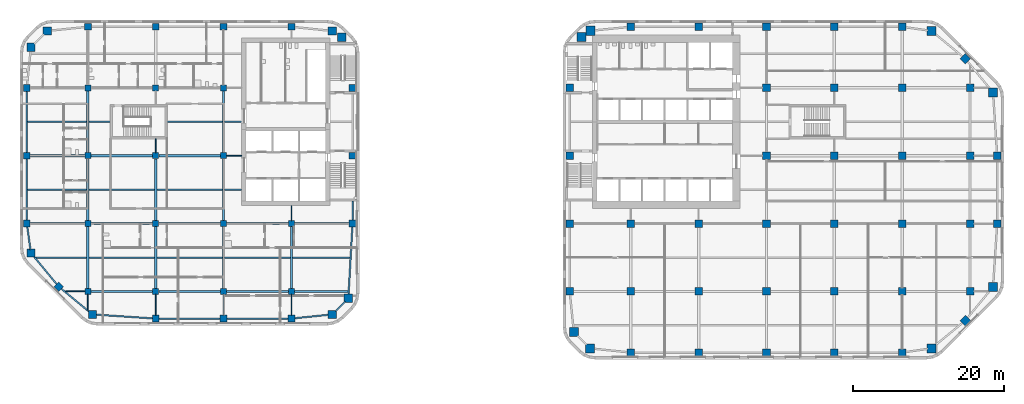
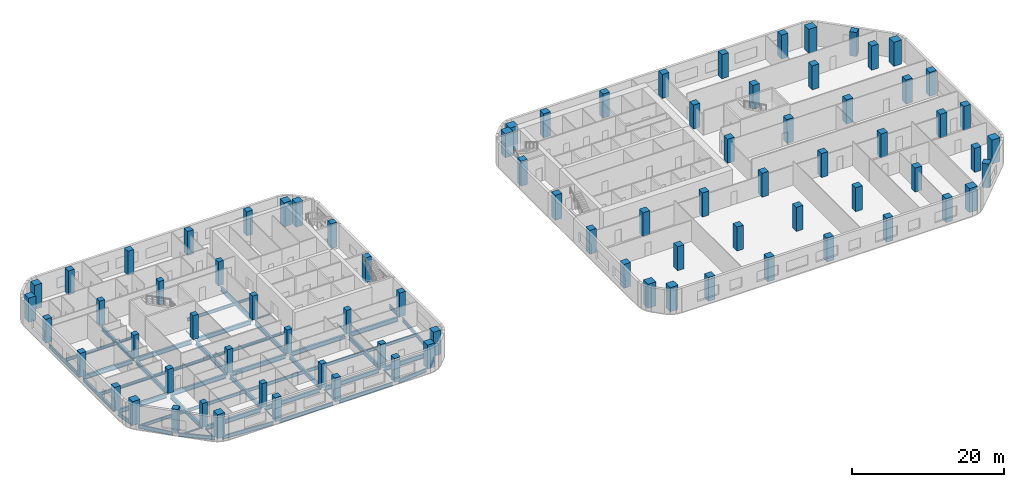
# One storey, part 1 of 16: 82 columns, 54 beams.
"""IFC4 building model written with IfcOpenShell, lengths in metres."""

from ifc_helpers import new_model, si_unit, direction, frame, origin, origin_2d, place, context, subcontext, project, spatial, rectangle, i_section, extrude, material, material_profile, profile_set, type_object, element, save


model = new_model("IFC4")

# Units and contexts
model_context = context("Model", 3, precision=1e-05, world=origin(), true_north=direction((0.0, 1.0)))
body_context = subcontext(model_context, "Body", "Model", "MODEL_VIEW")
ifc_project = project(units=[si_unit("LENGTHUNIT", "METRE"), si_unit("AREAUNIT", "SQUARE_METRE"), si_unit("VOLUMEUNIT", "CUBIC_METRE"), si_unit("PLANEANGLEUNIT", "RADIAN"), si_unit("MASSUNIT", "GRAM", prefix="KILO")], contexts=[model_context])

# Site, building, storey
site_placement = place(None, origin())
site = spatial("IfcSite", under=ifc_project, at=site_placement, CompositionType="ELEMENT")
building_placement = place(site_placement, origin())
building = spatial("IfcBuilding", under=site, at=building_placement, Name="Cinnabar Reach Civic Tower", CompositionType="ELEMENT")
storey_placement = place(building_placement, frame((0.0, 0.0, 34.0)))
storey = spatial("IfcBuildingStorey", under=building, at=storey_placement, Name="L07", CompositionType="ELEMENT", Elevation=34.0)

# Columns
ifc_material_1 = material(Name="Concrete C70", Category="concrete")
ifc_material_profile_1 = material_profile(ifc_material_1, rectangle(XDim=1.0, YDim=1.0, at=origin_2d()), Name="RC1000")
ifc_profile_set_1 = profile_set([ifc_material_profile_1], Name="Concrete C70")
column_type_1 = type_object("IfcColumnType", Name="RC1000 column R 240", PredefinedType="COLUMN", material=ifc_profile_set_1)
for number, where, z_axis, x_axis, name in (
    (1, (9.0, 0.9, 0.0), (0.0, 0.0, 1.0), (1.0, 0.0, 0.0), "Column T1-Z1-F0-1"),
    (2, (18.0, 0.9, 0.0), (0.0, 0.0, 1.0), (1.0, 0.0, 0.0), "Column T1-Z1-F0-2"),
    (3, (27.0, 0.9, 0.0), (0.0, 0.0, 1.0), (1.0, 0.0, 0.0), "Column T1-Z1-F0-3"),
    (4, (36.0, 0.9, 0.0), (0.0, 0.0, 1.0), (1.0, 0.0, 0.0), "Column T1-Z1-F0-4"),
    (5, (45.0, 0.9, 0.0), (0.0, 0.0, 1.0), (1.0, 0.0, 0.0), "Column T1-Z1-F0-5"),
    (6, (53.3636, 5.1364, 0.0), (0.0, 0.0, 1.0), (0.707106781187, 0.707106781187, 0.0), "Column T1-Z1-F1-M"),
    (7, (57.6, 18.0, 0.0), (0.0, 0.0, 1.0), (1.0, 0.0, 0.0), "Column T1-Z1-F2-2"),
    (8, (57.6, 27.0, 0.0), (0.0, 0.0, 1.0), (1.0, 0.0, 0.0), "Column T1-Z1-F2-3"),
    (9, (53.3636, 39.8636, 0.0), (0.0, 0.0, 1.0), (0.707106781187, 0.707106781187, 0.0), "Column T1-Z1-F3-M"),
    (10, (9.0, 44.1, 0.0), (0.0, 0.0, 1.0), (1.0, 0.0, 0.0), "Column T1-Z1-F4-1"),
    (11, (18.0, 44.1, 0.0), (0.0, 0.0, 1.0), (1.0, 0.0, 0.0), "Column T1-Z1-F4-2"),
    (12, (27.0, 44.1, 0.0), (0.0, 0.0, 1.0), (1.0, 0.0, 0.0), "Column T1-Z1-F4-3"),
    (13, (36.0, 44.1, 0.0), (0.0, 0.0, 1.0), (1.0, 0.0, 0.0), "Column T1-Z1-F4-4"),
    (14, (45.0, 44.1, 0.0), (0.0, 0.0, 1.0), (1.0, 0.0, 0.0), "Column T1-Z1-F4-5"),
    (15, (0.9, 9.0, 0.0), (0.0, 0.0, 1.0), (1.0, 0.0, 0.0), "Column T1-Z1-F6-1"),
    (16, (0.9, 18.0, 0.0), (0.0, 0.0, 1.0), (1.0, 0.0, 0.0), "Column T1-Z1-F6-2"),
):
    element("IfcColumn", number, at=place(storey_placement, frame(where, z_axis=z_axis, x_axis=x_axis)), inside=storey, type_object=column_type_1, Name=name, PredefinedType="COLUMN", context=body_context, shape_type="SweptSolid", body=[
        extrude(rectangle(XDim=1.0, YDim=1.0, at=origin_2d()), origin(), (0.0, 0.0, 1.0), 3.85),
    ])
for number, where, z_axis, x_axis, name in (
    (17, (0.9, 27.0, 0.0), (0.0, 0.0, 1.0), (1.0, 0.0, 0.0), "Column T1-Z1-F6-3"),
    (18, (0.9, 36.0, 0.0), (0.0, 0.0, 1.0), (1.0, 0.0, 0.0), "Column T1-Z1-F6-4"),
):
    element("IfcColumn", number, at=place(storey_placement, frame(where, z_axis=z_axis, x_axis=x_axis)), inside=storey, type_object=column_type_1, Name=name, PredefinedType="COLUMN", context=body_context, shape_type="SweptSolid", body=[
        extrude(rectangle(XDim=1.0, YDim=1.0, at=origin_2d()), origin(), (0.0, 0.0, 1.0), 4.0),
    ])
for number, where, z_axis, x_axis, name in (
    (19, (9.0, 9.0, 0.0), (0.0, 0.0, 1.0), (1.0, 0.0, 0.0), "Column T1-Z1-I9_9"),
    (20, (9.0, 18.0, 0.0), (0.0, 0.0, 1.0), (1.0, 0.0, 0.0), "Column T1-Z1-I9_18"),
    (21, (18.0, 9.0, 0.0), (0.0, 0.0, 1.0), (1.0, 0.0, 0.0), "Column T1-Z1-I18_9"),
    (22, (18.0, 18.0, 0.0), (0.0, 0.0, 1.0), (1.0, 0.0, 0.0), "Column T1-Z1-I18_18"),
    (23, (27.0, 9.0, 0.0), (0.0, 0.0, 1.0), (1.0, 0.0, 0.0), "Column T1-Z1-I27_9"),
    (24, (27.0, 18.0, 0.0), (0.0, 0.0, 1.0), (1.0, 0.0, 0.0), "Column T1-Z1-I27_18"),
    (25, (27.0, 27.0, 0.0), (0.0, 0.0, 1.0), (1.0, 0.0, 0.0), "Column T1-Z1-I27_27"),
    (26, (27.0, 36.0, 0.0), (0.0, 0.0, 1.0), (1.0, 0.0, 0.0), "Column T1-Z1-I27_36"),
    (27, (36.0, 9.0, 0.0), (0.0, 0.0, 1.0), (1.0, 0.0, 0.0), "Column T1-Z1-I36_9"),
    (28, (36.0, 18.0, 0.0), (0.0, 0.0, 1.0), (1.0, 0.0, 0.0), "Column T1-Z1-I36_18"),
    (29, (36.0, 27.0, 0.0), (0.0, 0.0, 1.0), (1.0, 0.0, 0.0), "Column T1-Z1-I36_27"),
    (30, (36.0, 36.0, 0.0), (0.0, 0.0, 1.0), (1.0, 0.0, 0.0), "Column T1-Z1-I36_36"),
    (31, (45.0, 9.0, 0.0), (0.0, 0.0, 1.0), (1.0, 0.0, 0.0), "Column T1-Z1-I45_9"),
    (32, (45.0, 18.0, 0.0), (0.0, 0.0, 1.0), (1.0, 0.0, 0.0), "Column T1-Z1-I45_18"),
    (33, (45.0, 27.0, 0.0), (0.0, 0.0, 1.0), (1.0, 0.0, 0.0), "Column T1-Z1-I45_27"),
    (34, (45.0, 36.0, 0.0), (0.0, 0.0, 1.0), (1.0, 0.0, 0.0), "Column T1-Z1-I45_36"),
    (35, (54.0, 9.0, 0.0), (0.0, 0.0, 1.0), (1.0, 0.0, 0.0), "Column T1-Z1-I54_9"),
    (36, (54.0, 18.0, 0.0), (0.0, 0.0, 1.0), (1.0, 0.0, 0.0), "Column T1-Z1-I54_18"),
    (37, (54.0, 27.0, 0.0), (0.0, 0.0, 1.0), (1.0, 0.0, 0.0), "Column T1-Z1-I54_27"),
    (38, (54.0, 36.0, 0.0), (0.0, 0.0, 1.0), (1.0, 0.0, 0.0), "Column T1-Z1-I54_36"),
):
    element("IfcColumn", number, at=place(storey_placement, frame(where, z_axis=z_axis, x_axis=x_axis)), inside=storey, type_object=column_type_1, Name=name, PredefinedType="COLUMN", context=body_context, shape_type="SweptSolid", body=[
        extrude(rectangle(XDim=1.0, YDim=1.0, at=origin_2d()), origin(), (0.0, 0.0, 1.0), 3.85),
    ])
ifc_material_2 = material(Name="Concrete C80", Category="concrete")
ifc_material_profile_2 = material_profile(ifc_material_2, rectangle(XDim=1.1, YDim=1.1, at=origin_2d()), Name="RC1100")
ifc_profile_set_2 = profile_set([ifc_material_profile_2], Name="Concrete C80")
column_type_2 = type_object("IfcColumnType", Name="RC1100 column R 180", PredefinedType="COLUMN", material=ifc_profile_set_2)
for number, where, z_axis, x_axis, name in (
    (39, (-62.3981, 5.9531, 0.0), (0.0, 0.0, 1.0), (1.0, 0.0, 0.0), "Column T2-Z1-CC0"),
    (40, (-30.6019, 5.9531, 0.0), (0.0, 0.0, 1.0), (1.0, 0.0, 0.0), "Column T2-Z1-CC1"),
    (41, (-28.4531, 8.1019, 0.0), (0.0, 0.0, 1.0), (1.0, 0.0, 0.0), "Column T2-Z1-CC2"),
    (42, (-29.3131, 42.7, 0.0), (0.0, 0.0, 1.0), (1.0, 0.0, 0.0), "Column T2-Z1-CC3"),
    (43, (-30.6019, 43.5469, 0.0), (0.0, 0.0, 1.0), (1.0, 0.0, 0.0), "Column T2-Z1-CC4"),
    (44, (-68.3981, 43.5469, 0.0), (0.0, 0.0, 1.0), (1.0, 0.0, 0.0), "Column T2-Z1-CC5"),
    (45, (-70.5469, 41.3981, 0.0), (0.0, 0.0, 1.0), (1.0, 0.0, 0.0), "Column T2-Z1-CC6"),
    (46, (-70.5469, 14.1019, 0.0), (0.0, 0.0, 1.0), (1.0, 0.0, 0.0), "Column T2-Z1-CC7"),
):
    element("IfcColumn", number, at=place(storey_placement, frame(where, z_axis=z_axis, x_axis=x_axis)), inside=storey, type_object=column_type_2, Name=name, PredefinedType="COLUMN", context=body_context, shape_type="SweptSolid", body=[
        extrude(rectangle(XDim=1.1, YDim=1.1, at=origin_2d()), origin(), (0.0, 0.0, 1.0), 3.85),
    ])
ifc_material_profile_3 = material_profile(ifc_material_2, rectangle(XDim=1.2, YDim=1.2, at=origin_2d()), Name="RC1200")
ifc_profile_set_3 = profile_set([ifc_material_profile_3], Name="Concrete C80")
column_type_3 = type_object("IfcColumnType", Name="RC1200 column R 240", PredefinedType="COLUMN", material=ifc_profile_set_3)
for number, where, z_axis, x_axis, name in (
    (47, (3.6019, 1.4531, 0.0), (0.0, 0.0, 1.0), (1.0, 0.0, 0.0), "Column T1-Z1-CC0"),
    (48, (48.8981, 1.4531, 0.0), (0.0, 0.0, 1.0), (1.0, 0.0, 0.0), "Column T1-Z1-CC1"),
    (49, (57.0469, 9.6019, 0.0), (0.0, 0.0, 1.0), (1.0, 0.0, 0.0), "Column T1-Z1-CC2"),
    (50, (57.0469, 35.3981, 0.0), (0.0, 0.0, 1.0), (1.0, 0.0, 0.0), "Column T1-Z1-CC3"),
    (51, (48.8981, 43.5469, 0.0), (0.0, 0.0, 1.0), (1.0, 0.0, 0.0), "Column T1-Z1-CC4"),
    (52, (3.6666, 43.5737, 0.0), (0.0, 0.0, 1.0), (1.0, 0.0, 0.0), "Column T1-Z1-CC5"),
    (53, (2.4631, 42.75, 0.0), (0.0, 0.0, 1.0), (1.0, 0.0, 0.0), "Column T1-Z1-CC6"),
    (54, (1.4531, 3.6019, 0.0), (0.0, 0.0, 1.0), (1.0, 0.0, 0.0), "Column T1-Z1-CC7"),
):
    element("IfcColumn", number, at=place(storey_placement, frame(where, z_axis=z_axis, x_axis=x_axis)), inside=storey, type_object=column_type_3, Name=name, PredefinedType="COLUMN", context=body_context, shape_type="SweptSolid", body=[
        extrude(rectangle(XDim=1.2, YDim=1.2, at=origin_2d()), origin(), (0.0, 0.0, 1.0), 3.85),
    ])
ifc_material_3 = material(Name="Concrete C60", Category="concrete")
ifc_material_profile_4 = material_profile(ifc_material_3, rectangle(XDim=0.8, YDim=0.8, at=origin_2d()), Name="RC800")
ifc_profile_set_4 = profile_set([ifc_material_profile_4], Name="Concrete C60")
column_type_4 = type_object("IfcColumnType", Name="RC800 column R 180", PredefinedType="COLUMN", material=ifc_profile_set_4)
for number, where, z_axis, x_axis, name in (
    (55, (-63.0, 9.0, 0.0), (0.0, 0.0, 1.0), (1.0, 0.0, 0.0), "Column T2-Z1-I-63_9"),
    (56, (-63.0, 18.0, 0.0), (0.0, 0.0, 1.0), (1.0, 0.0, 0.0), "Column T2-Z1-I-63_18"),
    (57, (-63.0, 27.0, 0.0), (0.0, 0.0, 1.0), (1.0, 0.0, 0.0), "Column T2-Z1-I-63_27"),
    (58, (-63.0, 36.0, 0.0), (0.0, 0.0, 1.0), (1.0, 0.0, 0.0), "Column T2-Z1-I-63_36"),
    (59, (-54.0, 9.0, 0.0), (0.0, 0.0, 1.0), (1.0, 0.0, 0.0), "Column T2-Z1-I-54_9"),
    (60, (-54.0, 18.0, 0.0), (0.0, 0.0, 1.0), (1.0, 0.0, 0.0), "Column T2-Z1-I-54_18"),
    (61, (-54.0, 27.0, 0.0), (0.0, 0.0, 1.0), (1.0, 0.0, 0.0), "Column T2-Z1-I-54_27"),
    (62, (-54.0, 36.0, 0.0), (0.0, 0.0, 1.0), (1.0, 0.0, 0.0), "Column T2-Z1-I-54_36"),
    (63, (-45.0, 9.0, 0.0), (0.0, 0.0, 1.0), (1.0, 0.0, 0.0), "Column T2-Z1-I-45_9"),
    (64, (-45.0, 18.0, 0.0), (0.0, 0.0, 1.0), (1.0, 0.0, 0.0), "Column T2-Z1-I-45_18"),
    (65, (-45.0, 27.0, 0.0), (0.0, 0.0, 1.0), (1.0, 0.0, 0.0), "Column T2-Z1-I-45_27"),
    (66, (-45.0, 36.0, 0.0), (0.0, 0.0, 1.0), (1.0, 0.0, 0.0), "Column T2-Z1-I-45_36"),
    (67, (-36.0, 9.0, 0.0), (0.0, 0.0, 1.0), (1.0, 0.0, 0.0), "Column T2-Z1-I-36_9"),
    (68, (-36.0, 18.0, 0.0), (0.0, 0.0, 1.0), (1.0, 0.0, 0.0), "Column T2-Z1-I-36_18"),
):
    element("IfcColumn", number, at=place(storey_placement, frame(where, z_axis=z_axis, x_axis=x_axis)), inside=storey, type_object=column_type_4, Name=name, PredefinedType="COLUMN", context=body_context, shape_type="SweptSolid", body=[
        extrude(rectangle(XDim=0.8, YDim=0.8, at=origin_2d()), origin(), (0.0, 0.0, 1.0), 3.85),
    ])
ifc_material_profile_5 = material_profile(ifc_material_1, rectangle(XDim=0.9, YDim=0.9, at=origin_2d()), Name="RC900")
ifc_profile_set_5 = profile_set([ifc_material_profile_5], Name="Concrete C70")
column_type_5 = type_object("IfcColumnType", Name="RC900 column R 180", PredefinedType="COLUMN", material=ifc_profile_set_5)
for number, where, z_axis, x_axis, name in (
    (69, (-54.0, 5.4, 0.0), (0.0, 0.0, 1.0), (1.0, 0.0, 0.0), "Column T2-Z1-F0--6"),
    (70, (-45.0, 5.4, 0.0), (0.0, 0.0, 1.0), (1.0, 0.0, 0.0), "Column T2-Z1-F0--5"),
    (71, (-36.0, 5.4, 0.0), (0.0, 0.0, 1.0), (1.0, 0.0, 0.0), "Column T2-Z1-F0--4"),
    (72, (-27.9, 18.0, 0.0), (0.0, 0.0, 1.0), (1.0, 0.0, 0.0), "Column T2-Z1-F2-2"),
):
    element("IfcColumn", number, at=place(storey_placement, frame(where, z_axis=z_axis, x_axis=x_axis)), inside=storey, type_object=column_type_5, Name=name, PredefinedType="COLUMN", context=body_context, shape_type="SweptSolid", body=[
        extrude(rectangle(XDim=0.9, YDim=0.9, at=origin_2d()), origin(), (0.0, 0.0, 1.0), 3.85),
    ])
for number, where, z_axis, x_axis, name in (
    (73, (-27.9, 27.0, 0.0), (0.0, 0.0, 1.0), (1.0, 0.0, 0.0), "Column T2-Z1-F2-3"),
    (74, (-27.9, 36.0, 0.0), (0.0, 0.0, 1.0), (1.0, 0.0, 0.0), "Column T2-Z1-F2-4"),
):
    element("IfcColumn", number, at=place(storey_placement, frame(where, z_axis=z_axis, x_axis=x_axis)), inside=storey, type_object=column_type_5, Name=name, PredefinedType="COLUMN", context=body_context, shape_type="SweptSolid", body=[
        extrude(rectangle(XDim=0.9, YDim=0.9, at=origin_2d()), origin(), (0.0, 0.0, 1.0), 4.0),
    ])
for number, where, z_axis, x_axis, name in (
    (75, (-63.0, 44.1, 0.0), (0.0, 0.0, 1.0), (1.0, 0.0, 0.0), "Column T2-Z1-F4--7"),
    (76, (-54.0, 44.1, 0.0), (0.0, 0.0, 1.0), (1.0, 0.0, 0.0), "Column T2-Z1-F4--6"),
    (77, (-45.0, 44.1, 0.0), (0.0, 0.0, 1.0), (1.0, 0.0, 0.0), "Column T2-Z1-F4--5"),
    (78, (-36.0, 44.1, 0.0), (0.0, 0.0, 1.0), (1.0, 0.0, 0.0), "Column T2-Z1-F4--4"),
    (79, (-71.1, 18.0, 0.0), (0.0, 0.0, 1.0), (1.0, 0.0, 0.0), "Column T2-Z1-F6-2"),
    (80, (-71.1, 27.0, 0.0), (0.0, 0.0, 1.0), (1.0, 0.0, 0.0), "Column T2-Z1-F6-3"),
    (81, (-71.1, 36.0, 0.0), (0.0, 0.0, 1.0), (1.0, 0.0, 0.0), "Column T2-Z1-F6-4"),
    (82, (-66.8636, 9.6364, 0.0), (0.0, 0.0, 1.0), (0.707106781187, 0.707106781187, 0.0), "Column T2-Z1-F7-M"),
):
    element("IfcColumn", number, at=place(storey_placement, frame(where, z_axis=z_axis, x_axis=x_axis)), inside=storey, type_object=column_type_5, Name=name, PredefinedType="COLUMN", context=body_context, shape_type="SweptSolid", body=[
        extrude(rectangle(XDim=0.9, YDim=0.9, at=origin_2d()), origin(), (0.0, 0.0, 1.0), 3.85),
    ])

# Beams
ifc_material_4 = material(Name="Steel Q355B", Category="steel")
ifc_material_profile_6 = material_profile(ifc_material_4, i_section(OverallWidth=0.099, OverallDepth=0.198, WebThickness=0.0045, FlangeThickness=0.007, FilletRadius=0.013, at=origin_2d()), Name="HN200x100x5.5x8")
ifc_profile_set_6 = profile_set([ifc_material_profile_6], Name="Steel Q355B")
beam_type_1 = type_object("IfcBeamType", Name="HN200x100x5.5x8 beam R 120", PredefinedType="BEAM", material=ifc_profile_set_6)
beam_1_placement = place(storey_placement, frame((-63.0, 6.5818, -0.249), z_axis=(0.0, 1.0, 0.0), x_axis=(-1.0, 0.0, 0.0)))
element("IfcBeam", 83, at=beam_1_placement, inside=storey, type_object=beam_type_1, Name="Girder T2 L07 1", PredefinedType="BEAM", context=body_context, shape_type="SweptSolid", body=[
    extrude(i_section(OverallWidth=0.099, OverallDepth=0.198, WebThickness=0.0045, FlangeThickness=0.007, FilletRadius=0.013, at=origin_2d()), origin(), (0.0, 0.0, 1.0), 2.0162),
])
beam_2_placement = place(storey_placement, frame((-54.0, 5.852, -0.249), z_axis=(0.0, 1.0, 0.0), x_axis=(-1.0, 0.0, 0.0)))
element("IfcBeam", 84, at=beam_2_placement, inside=storey, type_object=beam_type_1, Name="Girder T2 L07 6", PredefinedType="BEAM", context=body_context, shape_type="SweptSolid", body=[
    extrude(i_section(OverallWidth=0.099, OverallDepth=0.198, WebThickness=0.0045, FlangeThickness=0.007, FilletRadius=0.013, at=origin_2d()), origin(), (0.0, 0.0, 1.0), 2.746),
])
beam_3_placement = place(storey_placement, frame((-54.0, 27.402, -0.249), z_axis=(0.0, 1.0, 0.0), x_axis=(-1.0, 0.0, 0.0)))
element("IfcBeam", 85, at=beam_3_placement, inside=storey, type_object=beam_type_1, Name="Girder T2 L07 9", PredefinedType="BEAM", context=body_context, shape_type="SweptSolid", body=[
    extrude(i_section(OverallWidth=0.099, OverallDepth=0.198, WebThickness=0.0045, FlangeThickness=0.007, FilletRadius=0.013, at=origin_2d()), origin(), (0.0, 0.0, 1.0), 1.846),
])
for number, where, z_axis, x_axis, name in (
    (86, (-45.0, 5.852, -0.249), (0.0, 1.0, 0.0), (-1.0, 0.0, 0.0), "Girder T2 L07 12"),
    (87, (-36.0, 5.852, -0.249), (0.0, 1.0, 0.0), (-1.0, 0.0, 0.0), "Girder T2 L07 17"),
):
    element("IfcBeam", number, at=place(storey_placement, frame(where, z_axis=z_axis, x_axis=x_axis)), inside=storey, type_object=beam_type_1, Name=name, PredefinedType="BEAM", context=body_context, shape_type="SweptSolid", body=[
        extrude(i_section(OverallWidth=0.099, OverallDepth=0.198, WebThickness=0.0045, FlangeThickness=0.007, FilletRadius=0.013, at=origin_2d()), origin(), (0.0, 0.0, 1.0), 2.746),
    ])
beam_4_placement = place(storey_placement, frame((-36.0, 18.402, -0.249), z_axis=(0.0, 1.0, 0.0), x_axis=(-1.0, 0.0, 0.0)))
element("IfcBeam", 88, at=beam_4_placement, inside=storey, type_object=beam_type_1, Name="Girder T2 L07 19", PredefinedType="BEAM", context=body_context, shape_type="SweptSolid", body=[
    extrude(i_section(OverallWidth=0.099, OverallDepth=0.198, WebThickness=0.0045, FlangeThickness=0.007, FilletRadius=0.013, at=origin_2d()), origin(), (0.0, 0.0, 1.0), 1.996),
])
ifc_material_profile_7 = material_profile(ifc_material_4, i_section(OverallWidth=0.124, OverallDepth=0.248, WebThickness=0.005, FlangeThickness=0.008, FilletRadius=0.013, at=origin_2d()), Name="HN250x125x6x9")
ifc_profile_set_7 = profile_set([ifc_material_profile_7], Name="Steel Q355B")
beam_type_2 = type_object("IfcBeamType", Name="HN250x125x6x9 beam R 120", PredefinedType="BEAM", material=ifc_profile_set_7)
beam_5_placement = place(storey_placement, frame((-65.9318, 9.0, -0.274), z_axis=(1.0, 0.0, 0.0), x_axis=(0.0, 1.0, 0.0)))
element("IfcBeam", 89, at=beam_5_placement, inside=storey, type_object=beam_type_2, Name="Girder T2 L07 1", PredefinedType="BEAM", context=body_context, shape_type="SweptSolid", body=[
    extrude(i_section(OverallWidth=0.124, OverallDepth=0.248, WebThickness=0.005, FlangeThickness=0.008, FilletRadius=0.013, at=origin_2d()), origin(), (0.0, 0.0, 1.0), 2.5298),
])
beam_6_placement = place(storey_placement, frame((-44.598, 27.0, -0.274), z_axis=(1.0, 0.0, 0.0), x_axis=(0.0, 1.0, 0.0)))
element("IfcBeam", 90, at=beam_6_placement, inside=storey, type_object=beam_type_2, Name="Girder T2 L07 14", PredefinedType="BEAM", context=body_context, shape_type="SweptSolid", body=[
    extrude(i_section(OverallWidth=0.124, OverallDepth=0.248, WebThickness=0.005, FlangeThickness=0.008, FilletRadius=0.013, at=origin_2d()), origin(), (0.0, 0.0, 1.0), 1.996),
])
ifc_material_profile_8 = material_profile(ifc_material_4, i_section(OverallWidth=0.2, OverallDepth=0.4, WebThickness=0.008, FlangeThickness=0.013, FilletRadius=0.016, at=origin_2d()), Name="HN400x200x8x13")
ifc_profile_set_8 = profile_set([ifc_material_profile_8], Name="Steel Q355B")
beam_type_3 = type_object("IfcBeamType", Name="HN400x200x8x13 beam R 120", PredefinedType="BEAM", material=ifc_profile_set_8)
beam_7_placement = place(storey_placement, frame((-44.848, 22.5, -0.35), z_axis=(1.0, 0.0, 0.0), x_axis=(0.0, 1.0, 0.0)))
element("IfcBeam", 91, at=beam_7_placement, inside=storey, type_object=beam_type_3, Name="Secondary beam T2 L07 9", PredefinedType="BEAM", context=body_context, shape_type="SweptSolid", body=[
    extrude(i_section(OverallWidth=0.2, OverallDepth=0.4, WebThickness=0.008, FlangeThickness=0.013, FilletRadius=0.016, at=origin_2d()), origin(), (0.0, 0.0, 1.0), 2.246),
])
beam_8_placement = place(storey_placement, frame((-62.848, 31.5, -0.35), z_axis=(1.0, 0.0, 0.0), x_axis=(0.0, 1.0, 0.0)))
element("IfcBeam", 92, at=beam_8_placement, inside=storey, type_object=beam_type_3, Name="Secondary beam T2 L07 11", PredefinedType="BEAM", context=body_context, shape_type="SweptSolid", body=[
    extrude(i_section(OverallWidth=0.2, OverallDepth=0.4, WebThickness=0.008, FlangeThickness=0.013, FilletRadius=0.016, at=origin_2d()), origin(), (0.0, 0.0, 1.0), 2.846),
])
beam_9_placement = place(storey_placement, frame((-44.848, 31.5, -0.35), z_axis=(1.0, 0.0, 0.0), x_axis=(0.0, 1.0, 0.0)))
element("IfcBeam", 93, at=beam_9_placement, inside=storey, type_object=beam_type_3, Name="Secondary beam T2 L07 13", PredefinedType="BEAM", context=body_context, shape_type="SweptSolid", body=[
    extrude(i_section(OverallWidth=0.2, OverallDepth=0.4, WebThickness=0.008, FlangeThickness=0.013, FilletRadius=0.016, at=origin_2d()), origin(), (0.0, 0.0, 1.0), 2.246),
])
ifc_material_profile_9 = material_profile(ifc_material_4, i_section(OverallWidth=0.2, OverallDepth=0.5, WebThickness=0.01, FlangeThickness=0.016, FilletRadius=0.016, at=origin_2d()), Name="HN500x200x10x16")
ifc_profile_set_9 = profile_set([ifc_material_profile_9], Name="Steel Q355B")
beam_type_4 = type_object("IfcBeamType", Name="HN500x200x10x16 beam R 120", PredefinedType="BEAM", material=ifc_profile_set_9)
beam_10_placement = place(storey_placement, frame((-69.9182, 13.5, -0.4), z_axis=(1.0, 0.0, 0.0), x_axis=(0.0, 1.0, 0.0)))
element("IfcBeam", 94, at=beam_10_placement, inside=storey, type_object=beam_type_4, Name="Secondary beam T2 L07 1", PredefinedType="BEAM", context=body_context, shape_type="SweptSolid", body=[
    extrude(i_section(OverallWidth=0.2, OverallDepth=0.5, WebThickness=0.01, FlangeThickness=0.016, FilletRadius=0.016, at=origin_2d()), origin(), (0.0, 0.0, 1.0), 6.7662),
])
for number, where, z_axis, x_axis, name in (
    (95, (-62.848, 13.5, -0.4), (1.0, 0.0, 0.0), (0.0, 1.0, 0.0), "Secondary beam T2 L07 2"),
    (96, (-53.848, 13.5, -0.4), (1.0, 0.0, 0.0), (0.0, 1.0, 0.0), "Secondary beam T2 L07 3"),
    (97, (-44.848, 13.5, -0.4), (1.0, 0.0, 0.0), (0.0, 1.0, 0.0), "Secondary beam T2 L07 4"),
):
    element("IfcBeam", number, at=place(storey_placement, frame(where, z_axis=z_axis, x_axis=x_axis)), inside=storey, type_object=beam_type_4, Name=name, PredefinedType="BEAM", context=body_context, shape_type="SweptSolid", body=[
        extrude(i_section(OverallWidth=0.2, OverallDepth=0.5, WebThickness=0.01, FlangeThickness=0.016, FilletRadius=0.016, at=origin_2d()), origin(), (0.0, 0.0, 1.0), 8.696),
    ])
beam_11_placement = place(storey_placement, frame((-35.848, 13.5, -0.4), z_axis=(1.0, 0.0, 0.0), x_axis=(0.0, 1.0, 0.0)))
element("IfcBeam", 98, at=beam_11_placement, inside=storey, type_object=beam_type_4, Name="Secondary beam T2 L07 5", PredefinedType="BEAM", context=body_context, shape_type="SweptSolid", body=[
    extrude(i_section(OverallWidth=0.2, OverallDepth=0.5, WebThickness=0.01, FlangeThickness=0.016, FilletRadius=0.016, at=origin_2d()), origin(), (0.0, 0.0, 1.0), 7.5944),
])
beam_12_placement = place(storey_placement, frame((-70.998, 22.5, -0.4), z_axis=(1.0, 0.0, 0.0), x_axis=(0.0, 1.0, 0.0)))
element("IfcBeam", 99, at=beam_12_placement, inside=storey, type_object=beam_type_4, Name="Secondary beam T2 L07 6", PredefinedType="BEAM", context=body_context, shape_type="SweptSolid", body=[
    extrude(i_section(OverallWidth=0.2, OverallDepth=0.5, WebThickness=0.01, FlangeThickness=0.016, FilletRadius=0.016, at=origin_2d()), origin(), (0.0, 0.0, 1.0), 7.846),
])
for number, where, z_axis, x_axis, name in (
    (100, (-62.848, 22.5, -0.4), (1.0, 0.0, 0.0), (0.0, 1.0, 0.0), "Secondary beam T2 L07 7"),
    (101, (-53.848, 22.5, -0.4), (1.0, 0.0, 0.0), (0.0, 1.0, 0.0), "Secondary beam T2 L07 8"),
):
    element("IfcBeam", number, at=place(storey_placement, frame(where, z_axis=z_axis, x_axis=x_axis)), inside=storey, type_object=beam_type_4, Name=name, PredefinedType="BEAM", context=body_context, shape_type="SweptSolid", body=[
        extrude(i_section(OverallWidth=0.2, OverallDepth=0.5, WebThickness=0.01, FlangeThickness=0.016, FilletRadius=0.016, at=origin_2d()), origin(), (0.0, 0.0, 1.0), 8.696),
    ])
beam_13_placement = place(storey_placement, frame((-70.998, 31.5, -0.4), z_axis=(1.0, 0.0, 0.0), x_axis=(0.0, 1.0, 0.0)))
element("IfcBeam", 102, at=beam_13_placement, inside=storey, type_object=beam_type_4, Name="Secondary beam T2 L07 10", PredefinedType="BEAM", context=body_context, shape_type="SweptSolid", body=[
    extrude(i_section(OverallWidth=0.2, OverallDepth=0.5, WebThickness=0.01, FlangeThickness=0.016, FilletRadius=0.016, at=origin_2d()), origin(), (0.0, 0.0, 1.0), 7.846),
])
beam_14_placement = place(storey_placement, frame((-52.498, 31.5, -0.4), z_axis=(1.0, 0.0, 0.0), x_axis=(0.0, 1.0, 0.0)))
element("IfcBeam", 103, at=beam_14_placement, inside=storey, type_object=beam_type_4, Name="Secondary beam T2 L07 12", PredefinedType="BEAM", context=body_context, shape_type="SweptSolid", body=[
    extrude(i_section(OverallWidth=0.2, OverallDepth=0.5, WebThickness=0.01, FlangeThickness=0.016, FilletRadius=0.016, at=origin_2d()), origin(), (0.0, 0.0, 1.0), 7.346),
])
ifc_material_profile_10 = material_profile(ifc_material_4, i_section(OverallWidth=0.2, OverallDepth=0.6, WebThickness=0.011, FlangeThickness=0.017, FilletRadius=0.016, at=origin_2d()), Name="HN600x200x11x17")
ifc_profile_set_10 = profile_set([ifc_material_profile_10], Name="Steel Q355B")
beam_type_5 = type_object("IfcBeamType", Name="HN600x200x11x17 beam R 120", PredefinedType="BEAM", material=ifc_profile_set_10)
beam_15_placement = place(storey_placement, frame((-61.9661, 5.9246, -0.45), z_axis=(0.99783894477, -0.065707231721, 0.0), x_axis=(0.065707231721, 0.99783894477, 0.0)))
element("IfcBeam", 104, at=beam_15_placement, inside=storey, type_object=beam_type_5, Name="Edge beam T2 L07 1", PredefinedType="BEAM", context=body_context, shape_type="SweptSolid", body=[
    extrude(i_section(OverallWidth=0.2, OverallDepth=0.6, WebThickness=0.011, FlangeThickness=0.017, FilletRadius=0.016, at=origin_2d()), origin(), (0.0, 0.0, 1.0), 7.5304),
])
for number, where, z_axis, x_axis, name in (
    (105, (-53.548, 5.4, -0.45), (1.0, 0.0, 0.0), (0.0, 1.0, 0.0), "Edge beam T2 L07 2"),
    (106, (-44.548, 5.4, -0.45), (1.0, 0.0, 0.0), (0.0, 1.0, 0.0), "Edge beam T2 L07 3"),
):
    element("IfcBeam", number, at=place(storey_placement, frame(where, z_axis=z_axis, x_axis=x_axis)), inside=storey, type_object=beam_type_5, Name=name, PredefinedType="BEAM", context=body_context, shape_type="SweptSolid", body=[
        extrude(i_section(OverallWidth=0.2, OverallDepth=0.6, WebThickness=0.011, FlangeThickness=0.017, FilletRadius=0.016, at=origin_2d()), origin(), (0.0, 0.0, 1.0), 8.096),
    ])
beam_16_placement = place(storey_placement, frame((-35.548, 5.4463, -0.45), z_axis=(0.994792272495, 0.101923179821, 0.0), x_axis=(-0.101923179821, 0.994792272495, 0.0)))
element("IfcBeam", 107, at=beam_16_placement, inside=storey, type_object=beam_type_5, Name="Edge beam T2 L07 4", PredefinedType="BEAM", context=body_context, shape_type="SweptSolid", body=[
    extrude(i_section(OverallWidth=0.2, OverallDepth=0.6, WebThickness=0.011, FlangeThickness=0.017, FilletRadius=0.016, at=origin_2d()), origin(), (0.0, 0.0, 1.0), 4.5377),
])
beam_17_placement = place(storey_placement, frame((-30.1699, 6.3851, -0.45), z_axis=(0.707106781187, 0.707106781187, 0.0), x_axis=(-0.707106781187, 0.707106781187, 0.0)))
element("IfcBeam", 108, at=beam_17_placement, inside=storey, type_object=beam_type_5, Name="Edge beam T2 L07 5", PredefinedType="BEAM", context=body_context, shape_type="SweptSolid", body=[
    extrude(i_section(OverallWidth=0.2, OverallDepth=0.6, WebThickness=0.011, FlangeThickness=0.017, FilletRadius=0.016, at=origin_2d()), origin(), (0.0, 0.0, 1.0), 1.817),
])
beam_18_placement = place(storey_placement, frame((-28.429, 8.5339, -0.45), z_axis=(0.055792085863, 0.998442408532, 0.0), x_axis=(-0.998442408532, 0.055792085863, 0.0)))
element("IfcBeam", 109, at=beam_18_placement, inside=storey, type_object=beam_type_5, Name="Edge beam T2 L07 6", PredefinedType="BEAM", context=body_context, shape_type="SweptSolid", body=[
    extrude(i_section(OverallWidth=0.2, OverallDepth=0.6, WebThickness=0.011, FlangeThickness=0.017, FilletRadius=0.016, at=origin_2d()), origin(), (0.0, 0.0, 1.0), 9.0282),
])
beam_19_placement = place(storey_placement, frame((-27.9, 18.452, -0.45), z_axis=(0.0, 1.0, 0.0), x_axis=(-1.0, 0.0, 0.0)))
element("IfcBeam", 110, at=beam_19_placement, inside=storey, type_object=beam_type_5, Name="Edge beam T2 L07 7", PredefinedType="BEAM", context=body_context, shape_type="SweptSolid", body=[
    extrude(i_section(OverallWidth=0.2, OverallDepth=0.6, WebThickness=0.011, FlangeThickness=0.017, FilletRadius=0.016, at=origin_2d()), origin(), (0.0, 0.0, 1.0), 2.546),
])
for number, where, z_axis, x_axis, name in (
    (111, (-71.1, 35.548, -0.45), (0.0, -1.0, 0.0), (1.0, 0.0, 0.0), "Edge beam T2 L07 16"),
    (112, (-71.1, 26.548, -0.45), (0.0, -1.0, 0.0), (1.0, 0.0, 0.0), "Edge beam T2 L07 17"),
):
    element("IfcBeam", number, at=place(storey_placement, frame(where, z_axis=z_axis, x_axis=x_axis)), inside=storey, type_object=beam_type_5, Name=name, PredefinedType="BEAM", context=body_context, shape_type="SweptSolid", body=[
        extrude(i_section(OverallWidth=0.2, OverallDepth=0.6, WebThickness=0.011, FlangeThickness=0.017, FilletRadius=0.016, at=origin_2d()), origin(), (0.0, 0.0, 1.0), 8.096),
    ])
beam_20_placement = place(storey_placement, frame((-71.0359, 17.548, -0.45), z_axis=(0.140492342965, -0.990081765092, 0.0), x_axis=(0.990081765092, 0.140492342965, 0.0)))
element("IfcBeam", 113, at=beam_20_placement, inside=storey, type_object=beam_type_5, Name="Edge beam T2 L07 18", PredefinedType="BEAM", context=body_context, shape_type="SweptSolid", body=[
    extrude(i_section(OverallWidth=0.2, OverallDepth=0.6, WebThickness=0.011, FlangeThickness=0.017, FilletRadius=0.016, at=origin_2d()), origin(), (0.0, 0.0, 1.0), 3.0443),
])
for number, where, z_axis, x_axis, name in (
    (114, (-70.1906, 13.6699, -0.45), (0.63630880182, -0.771434448755, 0.0), (0.771434448755, 0.63630880182, 0.0), "Edge beam T2 L07 19"),
    (115, (-66.5598, 9.3858, -0.45), (0.771434448755, -0.63630880182, 0.0), (0.63630880182, 0.771434448755, 0.0), "Edge beam T2 L07 20"),
):
    element("IfcBeam", number, at=place(storey_placement, frame(where, z_axis=z_axis, x_axis=x_axis)), inside=storey, type_object=beam_type_5, Name=name, PredefinedType="BEAM", context=body_context, shape_type="SweptSolid", body=[
        extrude(i_section(OverallWidth=0.2, OverallDepth=0.6, WebThickness=0.011, FlangeThickness=0.017, FilletRadius=0.016, at=origin_2d()), origin(), (0.0, 0.0, 1.0), 4.8348),
    ])
ifc_material_profile_11 = material_profile(ifc_material_4, i_section(OverallWidth=0.3, OverallDepth=0.692, WebThickness=0.013, FlangeThickness=0.02, FilletRadius=0.016, at=origin_2d()), Name="HN692x300x13x20")
ifc_profile_set_11 = profile_set([ifc_material_profile_11], Name="Steel Q355B")
beam_type_6 = type_object("IfcBeamType", Name="HN692x300x13x20 beam R 120", PredefinedType="BEAM", material=ifc_profile_set_11)
for number, where, z_axis, x_axis, name in (
    (116, (-63.0, 9.402, -0.496), (0.0, 1.0, 0.0), (-1.0, 0.0, 0.0), "Girder T2 L07 2"),
    (117, (-63.0, 18.402, -0.496), (0.0, 1.0, 0.0), (-1.0, 0.0, 0.0), "Girder T2 L07 3"),
    (118, (-63.0, 27.402, -0.496), (0.0, 1.0, 0.0), (-1.0, 0.0, 0.0), "Girder T2 L07 4"),
    (119, (-54.0, 9.402, -0.496), (0.0, 1.0, 0.0), (-1.0, 0.0, 0.0), "Girder T2 L07 7"),
    (120, (-54.0, 18.402, -0.496), (0.0, 1.0, 0.0), (-1.0, 0.0, 0.0), "Girder T2 L07 8"),
    (121, (-45.0, 9.402, -0.496), (0.0, 1.0, 0.0), (-1.0, 0.0, 0.0), "Girder T2 L07 13"),
    (122, (-45.0, 18.402, -0.496), (0.0, 1.0, 0.0), (-1.0, 0.0, 0.0), "Girder T2 L07 14"),
    (123, (-45.0, 27.402, -0.496), (0.0, 1.0, 0.0), (-1.0, 0.0, 0.0), "Girder T2 L07 15"),
    (124, (-36.0, 9.402, -0.496), (0.0, 1.0, 0.0), (-1.0, 0.0, 0.0), "Girder T2 L07 18"),
):
    element("IfcBeam", number, at=place(storey_placement, frame(where, z_axis=z_axis, x_axis=x_axis)), inside=storey, type_object=beam_type_6, Name=name, PredefinedType="BEAM", context=body_context, shape_type="SweptSolid", body=[
        extrude(i_section(OverallWidth=0.3, OverallDepth=0.692, WebThickness=0.013, FlangeThickness=0.02, FilletRadius=0.016, at=origin_2d()), origin(), (0.0, 0.0, 1.0), 8.196),
    ])
ifc_material_profile_12 = material_profile(ifc_material_4, i_section(OverallWidth=0.3, OverallDepth=0.7, WebThickness=0.013, FlangeThickness=0.024, FilletRadius=0.02, at=origin_2d()), Name="HN700x300x13x24")
ifc_profile_set_12 = profile_set([ifc_material_profile_12], Name="Steel Q355B")
beam_type_7 = type_object("IfcBeamType", Name="HN700x300x13x24 beam R 120", PredefinedType="BEAM", material=ifc_profile_set_12)
for number, where, z_axis, x_axis, name in (
    (125, (-62.598, 9.0, -0.5), (1.0, 0.0, 0.0), (0.0, 1.0, 0.0), "Girder T2 L07 2"),
    (126, (-53.598, 9.0, -0.5), (1.0, 0.0, 0.0), (0.0, 1.0, 0.0), "Girder T2 L07 3"),
    (127, (-44.598, 9.0, -0.5), (1.0, 0.0, 0.0), (0.0, 1.0, 0.0), "Girder T2 L07 4"),
):
    element("IfcBeam", number, at=place(storey_placement, frame(where, z_axis=z_axis, x_axis=x_axis)), inside=storey, type_object=beam_type_7, Name=name, PredefinedType="BEAM", context=body_context, shape_type="SweptSolid", body=[
        extrude(i_section(OverallWidth=0.3, OverallDepth=0.7, WebThickness=0.013, FlangeThickness=0.024, FilletRadius=0.02, at=origin_2d()), origin(), (0.0, 0.0, 1.0), 8.196),
    ])
beam_21_placement = place(storey_placement, frame((-35.598, 9.0, -0.5), z_axis=(1.0, 0.0, 0.0), x_axis=(0.0, 1.0, 0.0)))
element("IfcBeam", 128, at=beam_21_placement, inside=storey, type_object=beam_type_7, Name="Girder T2 L07 5", PredefinedType="BEAM", context=body_context, shape_type="SweptSolid", body=[
    extrude(i_section(OverallWidth=0.3, OverallDepth=0.7, WebThickness=0.013, FlangeThickness=0.024, FilletRadius=0.02, at=origin_2d()), origin(), (0.0, 0.0, 1.0), 7.0929),
])
beam_22_placement = place(storey_placement, frame((-70.648, 18.0, -0.5), z_axis=(1.0, 0.0, 0.0), x_axis=(0.0, 1.0, 0.0)))
element("IfcBeam", 129, at=beam_22_placement, inside=storey, type_object=beam_type_7, Name="Girder T2 L07 6", PredefinedType="BEAM", context=body_context, shape_type="SweptSolid", body=[
    extrude(i_section(OverallWidth=0.3, OverallDepth=0.7, WebThickness=0.013, FlangeThickness=0.024, FilletRadius=0.02, at=origin_2d()), origin(), (0.0, 0.0, 1.0), 7.246),
])
for number, where, z_axis, x_axis, name in (
    (130, (-62.598, 18.0, -0.5), (1.0, 0.0, 0.0), (0.0, 1.0, 0.0), "Girder T2 L07 7"),
    (131, (-53.598, 18.0, -0.5), (1.0, 0.0, 0.0), (0.0, 1.0, 0.0), "Girder T2 L07 8"),
    (132, (-44.598, 18.0, -0.5), (1.0, 0.0, 0.0), (0.0, 1.0, 0.0), "Girder T2 L07 9"),
):
    element("IfcBeam", number, at=place(storey_placement, frame(where, z_axis=z_axis, x_axis=x_axis)), inside=storey, type_object=beam_type_7, Name=name, PredefinedType="BEAM", context=body_context, shape_type="SweptSolid", body=[
        extrude(i_section(OverallWidth=0.3, OverallDepth=0.7, WebThickness=0.013, FlangeThickness=0.024, FilletRadius=0.02, at=origin_2d()), origin(), (0.0, 0.0, 1.0), 8.196),
    ])
for number, where, z_axis, x_axis, name in (
    (133, (-35.598, 18.0, -0.5), (1.0, 0.0, 0.0), (0.0, 1.0, 0.0), "Girder T2 L07 10"),
    (134, (-70.648, 27.0, -0.5), (1.0, 0.0, 0.0), (0.0, 1.0, 0.0), "Girder T2 L07 11"),
):
    element("IfcBeam", number, at=place(storey_placement, frame(where, z_axis=z_axis, x_axis=x_axis)), inside=storey, type_object=beam_type_7, Name=name, PredefinedType="BEAM", context=body_context, shape_type="SweptSolid", body=[
        extrude(i_section(OverallWidth=0.3, OverallDepth=0.7, WebThickness=0.013, FlangeThickness=0.024, FilletRadius=0.02, at=origin_2d()), origin(), (0.0, 0.0, 1.0), 7.246),
    ])
for number, where, z_axis, x_axis, name in (
    (135, (-62.598, 27.0, -0.5), (1.0, 0.0, 0.0), (0.0, 1.0, 0.0), "Girder T2 L07 12"),
    (136, (-53.598, 27.0, -0.5), (1.0, 0.0, 0.0), (0.0, 1.0, 0.0), "Girder T2 L07 13"),
):
    element("IfcBeam", number, at=place(storey_placement, frame(where, z_axis=z_axis, x_axis=x_axis)), inside=storey, type_object=beam_type_7, Name=name, PredefinedType="BEAM", context=body_context, shape_type="SweptSolid", body=[
        extrude(i_section(OverallWidth=0.3, OverallDepth=0.7, WebThickness=0.013, FlangeThickness=0.024, FilletRadius=0.02, at=origin_2d()), origin(), (0.0, 0.0, 1.0), 8.196),
    ])

save(model, "model.ifc")
